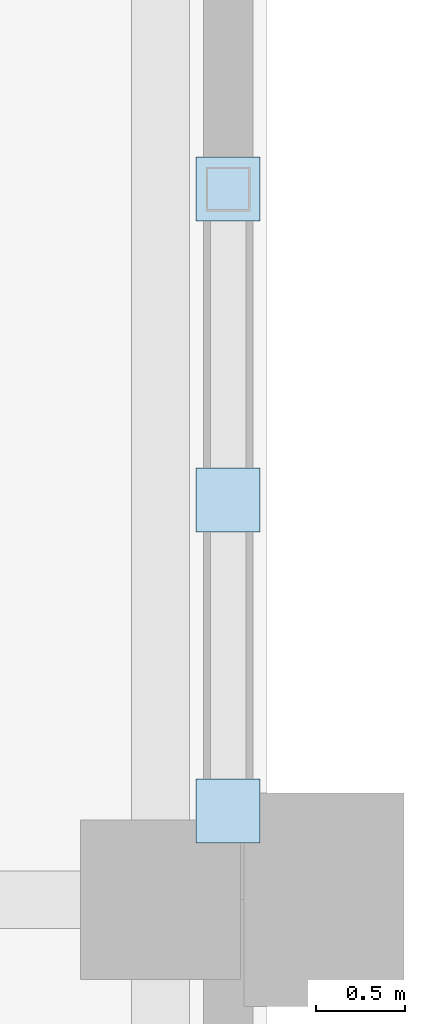
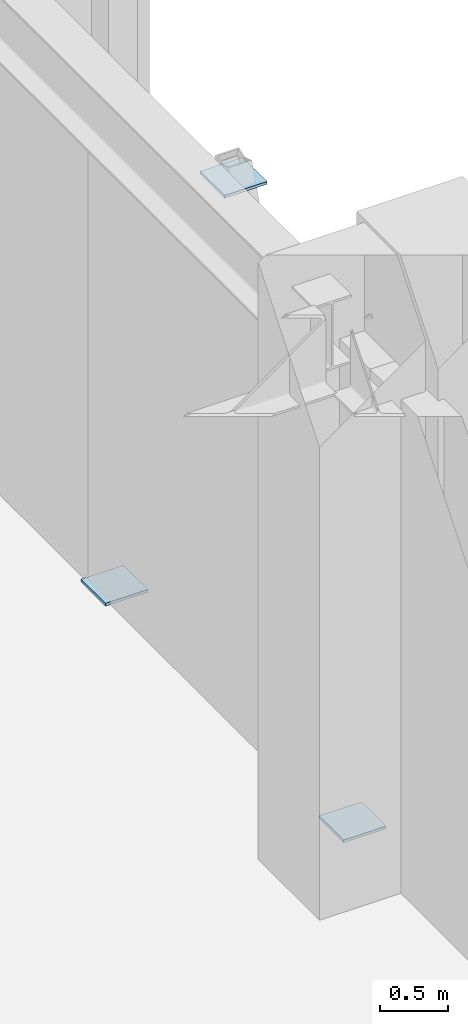
# One storey, part 123 of 159: 3 plates.
"""IFC4 building model written with IfcOpenShell, lengths in metres."""

from ifc_helpers import new_model, si_unit, derived_unit, direction, frame, origin, origin_2d, place, context, subcontext, project, spatial, rectangle, extrude, material, layer, layer_set, type_object, element, save


model = new_model("IFC4")

# Units and contexts
model_context = context("Model", 3, precision=1e-05, world=origin(), true_north=direction((0.0, 1.0)))
body_context = subcontext(model_context, "Body", "Model", "MODEL_VIEW")
ifc_project = project(units=[si_unit("LENGTHUNIT", "METRE"), si_unit("AREAUNIT", "SQUARE_METRE"), si_unit("VOLUMEUNIT", "CUBIC_METRE"), si_unit("PLANEANGLEUNIT", "RADIAN"), si_unit("MASSUNIT", "GRAM", prefix="KILO"), derived_unit("THERMALTRANSMITTANCEUNIT", [(si_unit("MASSUNIT", "GRAM", prefix="KILO"), 1), (si_unit("TIMEUNIT", "SECOND"), -3), (si_unit("THERMODYNAMICTEMPERATUREUNIT", "KELVIN"), -1)])], contexts=[model_context])

# Site, building, storey
site_placement = place(None, origin())
site = spatial("IfcSite", under=ifc_project, at=site_placement, CompositionType="ELEMENT")
building_placement = place(site_placement, origin())
building = spatial("IfcBuilding", under=site, at=building_placement, Name="Valcora Ridge Arena", CompositionType="ELEMENT")
storey_placement = place(building_placement, frame((0.0, 0.0, 6.0)))
storey = spatial("IfcBuildingStorey", under=building, at=storey_placement, Name="L01", CompositionType="ELEMENT", Elevation=6.0)

# Plates
ifc_material = material(Name="Steel ASTM A572 Grade 50", Category="steel")
ifc_layer = layer(ifc_material, 0.02490234375, Name="Steel ASTM A572 Grade 50")
ifc_layer_set = layer_set([ifc_layer], Name="Steel ASTM A572 Grade 50")
plate_type = type_object("IfcPlateType", Name="TY-PLATE-PL-GUS-25", PredefinedType="USERDEFINED", material=ifc_layer_set)
for number, where, z_axis, x_axis, name in (
    (1, (191.780029296875, 120.699951171875, 0.0), (0.0, 0.0, 1.0), (1.0, 0.0, 0.0), "PL-GUS-25 BR-GP-0031"),
    (2, (191.780029296875, 124.199951171875, 0.0), (0.0, 0.0, 1.0), (1.0, 0.0, 0.0), "PL-GUS-25 BR-GP-0032"),
    (3, (191.780029296875, 122.449951171875, 4.719970703125), (0.0, 0.0, 1.0), (1.0, 0.0, 0.0), "PL-GUS-25 BR-GP-0033"),
):
    element("IfcPlate", number, at=place(storey_placement, frame(where, z_axis=z_axis, x_axis=x_axis)), inside=storey, type_object=plate_type, Name=name, ObjectType="GUSSET_PLATE", PredefinedType="USERDEFINED", context=body_context, shape_type="SweptSolid", body=[
        extrude(rectangle(XDim=0.360107421875, YDim=0.360107421875, at=origin_2d()), origin(), (0.0, 0.0, 1.0), 0.02490234375),
    ])

save(model, "model.ifc")
